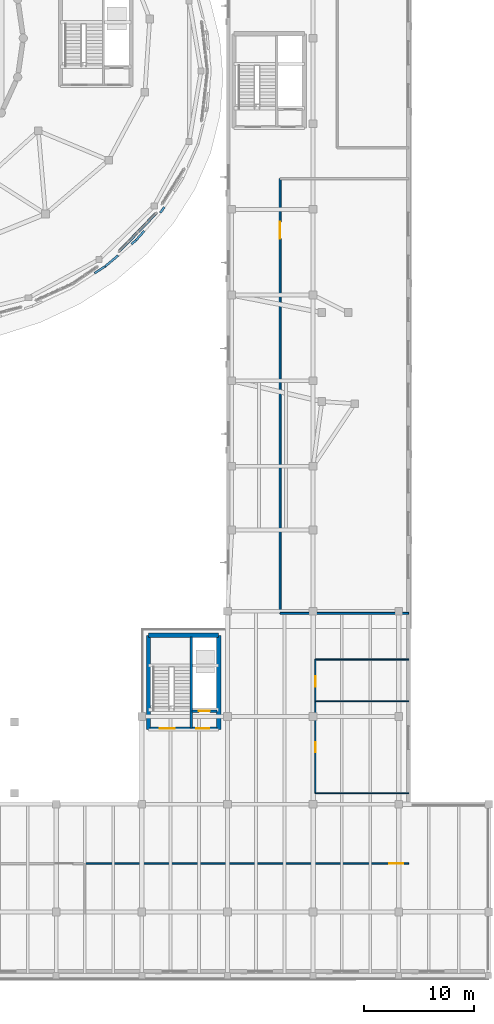
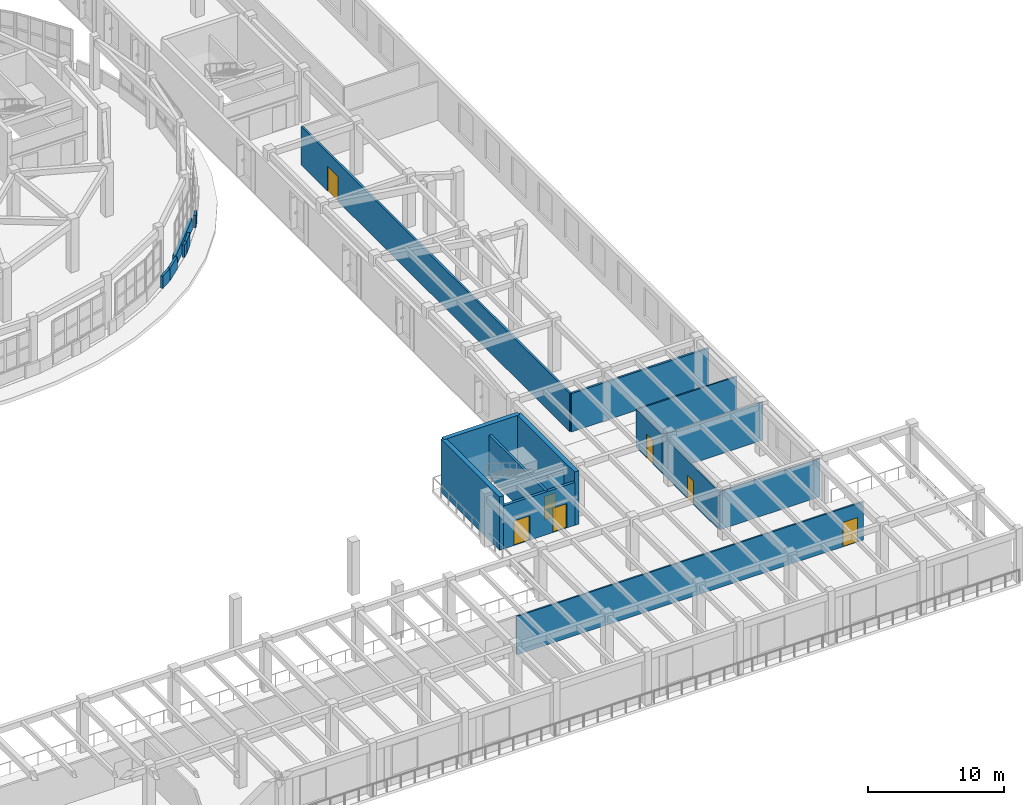
# One storey, part 80 of 98: 20 walls, 7 doors, 7 openings.
"""IFC4 building model written with IfcOpenShell, lengths in metres."""

from ifc_helpers import new_model, si_unit, direction, frame, frame_2d, origin, place, context, subcontext, project, spatial, rectangle, extrude, material, layer, layer_set, type_object, element, fill, save


model = new_model("IFC4")

# Units and contexts
model_context = context("Model", 3, precision=1e-05, world=origin(), true_north=direction((0.0, 1.0)))
body_context = subcontext(model_context, "Body", "Model", "MODEL_VIEW")
ifc_project = project(units=[si_unit("LENGTHUNIT", "METRE"), si_unit("AREAUNIT", "SQUARE_METRE"), si_unit("VOLUMEUNIT", "CUBIC_METRE"), si_unit("PLANEANGLEUNIT", "RADIAN"), si_unit("MASSUNIT", "GRAM", prefix="KILO")], contexts=[model_context])

# Site, building, storey
site_placement = place(None, origin())
site = spatial("IfcSite", under=ifc_project, at=site_placement, CompositionType="ELEMENT")
building_placement = place(site_placement, origin())
building = spatial("IfcBuilding", under=site, at=building_placement, Name="Pelvatis Terrace Science Centre", CompositionType="ELEMENT")
storey_placement = place(building_placement, frame((0.0, 0.0, 5.39990234375)))
storey = spatial("IfcBuildingStorey", under=building, at=storey_placement, Name="L01", CompositionType="ELEMENT", Elevation=5.39990234375)

# Walls
ifc_material_1 = material(Name="White architectural precast concrete C40/50 spandrel", Category="concrete")
ifc_layer_1 = layer(ifc_material_1, 0.260009765625)
ifc_layer_set_1 = layer_set([ifc_layer_1], Name="White architectural precast concrete C40/50 spandrel")
wall_type_1 = type_object("IfcWallType", Name="WL-EXT-SPND-260", PredefinedType="SOLIDWALL", material=ifc_layer_set_1)
wall_1_placement = place(storey_placement, frame((130.510009765625, 66.35986328125, 0.0), z_axis=(0.0, 0.0, 1.0), x_axis=(0.695871427132, 0.718166385249, 0.0)))
element("IfcWall", 1, at=wall_1_placement, inside=storey, type_object=wall_type_1, Name="V1 white spiral spandrel band 29 (L01)", PredefinedType="SOLIDWALL", context=body_context, shape_type="SweptSolid", body=[
    extrude(rectangle(XDim=4.90576171875, YDim=0.260009765625, at=frame_2d((2.452880859375, 0.0))), origin(), (0.0, 0.0, 1.0), 1.02001953125),
])
ifc_material_2 = material(Name="Concrete C35/45 shaft dividing wall", Category="concrete")
ifc_layer_2 = layer(ifc_material_2, 0.2099609375)
ifc_layer_set_2 = layer_set([ifc_layer_2], Name="Concrete C35/45 shaft dividing wall")
wall_type_2 = type_object("IfcWallType", Name="WL-INT-CORE-210", PredefinedType="PARTITIONING", material=ifc_layer_set_2)
wall_2_placement = place(storey_placement, frame((137.10009765625, 22.949951171875, 0.0), z_axis=(0.0, 0.0, 1.0), x_axis=(0.0, 1.0, 0.0)))
element("IfcWall", 2, at=wall_2_placement, inside=storey, type_object=wall_type_2, Name="Core C4 stair-lift shaft fire wall (L01)", PredefinedType="PARTITIONING", context=body_context, shape_type="SweptSolid", body=[
    extrude(rectangle(XDim=8.300048828125, YDim=0.2099609375, at=frame_2d((4.14990234375, 0.0))), origin(), (0.0, 0.0, 1.0), 3.860107421875),
])

# Wall, opening, door
ifc_material_3 = material(Name="Concrete C35/45 stair enclosure wall", Category="concrete")
ifc_layer_3 = layer(ifc_material_3, 0.22509765625)
ifc_layer_set_3 = layer_set([ifc_layer_3], Name="Concrete C35/45 stair enclosure wall")
wall_type_3 = type_object("IfcWallType", Name="WL-INT-CORE-225", PredefinedType="PARTITIONING", material=ifc_layer_set_3)
wall_3_placement = place(storey_placement, frame((137.14990234375, 24.5, 0.0), z_axis=(0.0, 0.0, 1.0), x_axis=(1.0, 0.0, 0.0)))
wall_3 = element("IfcWall", 3, at=wall_3_placement, inside=storey, type_object=wall_type_3, Name="Core C4 lift shaft landing wall (L01)", PredefinedType="PARTITIONING", context=body_context, shape_type="SweptSolid", body=[
    extrude(rectangle(XDim=2.300048828125, YDim=0.22509765625, at=frame_2d((1.14990234375, 0.0))), origin(), (0.0, 0.0, 1.0), 3.860107421875),
])
opening_1_placement = place(wall_3_placement, frame((0.64990234375, 0.0, 0.0)))
opening_1 = element("IfcOpeningElement", 4, at=opening_1_placement, cuts=wall_3, Name="Opening LD-C4-3", PredefinedType="OPENING", context=body_context, shape_type="SweptSolid", body=[
    extrude(rectangle(XDim=1.0, YDim=2.14990234375, at=frame_2d((0.5, 1.074951171875))), frame((0.0, 0.12255859375, 0.0), z_axis=(0.0, -1.0, 0.0), x_axis=(1.0, 0.0, 0.0)), (0.0, 0.0, 1.0), 0.2451171875),
])
ifc_material_4 = material(Name="Bronze-clad sliding passenger lift landing door", Category="steel")
door_type_1 = type_object("IfcDoorType", Name="DR-LIFT-1000x2150", OperationType="NOTDEFINED", PredefinedType="DOOR", material=ifc_material_4)
door_1_placement = place(opening_1_placement, origin())
door_1 = element("IfcDoor", 5, at=door_1_placement, inside=storey, type_object=door_type_1, Name="Lift LF-06 sliding landing door (L01)", OperationType="SLIDING_TO_LEFT", OverallHeight=2.14990234375, OverallWidth=1.0, PredefinedType="DOOR", context=body_context, shape_type="SweptSolid", body=[
    extrude(rectangle(XDim=1.0, YDim=2.14990234375, at=frame_2d((0.5, 1.074951171875))), frame((0.0, 0.02490234375, 0.0), z_axis=(0.0, -1.0, 0.0), x_axis=(1.0, 0.0, 0.0)), (0.0, 0.0, 1.0), 0.050048828125),
])
fill(opening_1, door_1)

# Wall, openings, doors
ifc_material_5 = material(Name="Concrete C35/45 shaft enclosure wall", Category="concrete")
ifc_layer_4 = layer(ifc_material_5, 0.239990234375)
ifc_layer_set_4 = layer_set([ifc_layer_4], Name="Concrete C35/45 shaft enclosure wall")
wall_type_4 = type_object("IfcWallType", Name="WL-INT-CORE-240", PredefinedType="PARTITIONING", material=ifc_layer_set_4)
wall_4_placement = place(storey_placement, frame((133.35009765625, 22.919921875, 0.0), z_axis=(0.0, 0.0, 1.0), x_axis=(1.0, 0.0, 0.0)))
wall_4 = element("IfcWall", 6, at=wall_4_placement, inside=storey, type_object=wall_type_4, Name="Core C4 fire-rated lobby wall (L01)", PredefinedType="PARTITIONING", context=body_context, shape_type="SweptSolid", body=[
    extrude(rectangle(XDim=6.099853515625, YDim=0.239990234375, at=frame_2d((3.0498046875, 0.0))), origin(), (0.0, 0.0, 1.0), 3.860107421875),
])
opening_2_placement = place(wall_4_placement, frame((0.89990234375, 0.0, 0.0)))
opening_2 = element("IfcOpeningElement", 7, at=opening_2_placement, cuts=wall_4, Name="Opening D-145", PredefinedType="OPENING", context=body_context, shape_type="SweptSolid", body=[
    extrude(rectangle(XDim=1.35009765625, YDim=2.199951171875, at=frame_2d((0.675048828125, 1.10009765625))), frame((0.0, 0.1298828125, 0.0), z_axis=(0.0, -1.0, 0.0), x_axis=(1.0, 0.0, 0.0)), (0.0, 0.0, 1.0), 0.260009765625),
])
opening_3_placement = place(wall_4_placement, frame((4.199951171875, 0.0, 0.0)))
opening_3 = element("IfcOpeningElement", 8, at=opening_3_placement, cuts=wall_4, Name="Opening D-146", PredefinedType="OPENING", context=body_context, shape_type="SweptSolid", body=[
    extrude(rectangle(XDim=1.199951171875, YDim=2.199951171875, at=frame_2d((0.60009765625, 1.10009765625))), frame((0.0, 0.1298828125, 0.0), z_axis=(0.0, -1.0, 0.0), x_axis=(1.0, 0.0, 0.0)), (0.0, 0.0, 1.0), 0.260009765625),
])
ifc_material_6 = material(Name="Steel fire-rated exit stair door", Category="steel")
door_type_2 = type_object("IfcDoorType", Name="DR-STAIR-1200x2200", OperationType="NOTDEFINED", PredefinedType="DOOR", material=ifc_material_6)
door_2_placement = place(opening_3_placement, origin())
door_2 = element("IfcDoor", 9, at=door_2_placement, inside=storey, type_object=door_type_2, Name="Core C4 lift lobby fire door (L01)", OperationType="SINGLE_SWING_RIGHT", OverallHeight=2.199951171875, OverallWidth=1.199951171875, PredefinedType="DOOR", context=body_context, shape_type="SweptSolid", body=[
    extrude(rectangle(XDim=1.199951171875, YDim=2.199951171875, at=frame_2d((0.60009765625, 1.10009765625))), frame((0.0, 0.02490234375, 0.0), z_axis=(0.0, -1.0, 0.0), x_axis=(1.0, 0.0, 0.0)), (0.0, 0.0, 1.0), 0.050048828125),
])
fill(opening_3, door_2)
ifc_material_7 = material(Name="Steel fire-rated protected stair door", Category="steel")
door_type_3 = type_object("IfcDoorType", Name="DR-STAIR-1350x2200", OperationType="NOTDEFINED", PredefinedType="DOOR", material=ifc_material_7)
door_3_placement = place(opening_2_placement, origin())
door_3 = element("IfcDoor", 10, at=door_3_placement, inside=storey, type_object=door_type_3, Name="Core C4 protected stair fire door (L01)", OperationType="SINGLE_SWING_LEFT", OverallHeight=2.199951171875, OverallWidth=1.35009765625, PredefinedType="DOOR", context=body_context, shape_type="SweptSolid", body=[
    extrude(rectangle(XDim=1.35009765625, YDim=2.199951171875, at=frame_2d((0.675048828125, 1.10009765625))), frame((0.0, 0.02490234375, 0.0), z_axis=(0.0, -1.0, 0.0), x_axis=(1.0, 0.0, 0.0)), (0.0, 0.0, 1.0), 0.050048828125),
])
fill(opening_2, door_3)

# Walls
ifc_material_8 = material(Name="Glazed laboratory screen", Category="glass")
ifc_layer_5 = layer(ifc_material_8, 0.097900390625)
ifc_layer_set_5 = layer_set([ifc_layer_5], Name="Glazed laboratory screen")
wall_type_5 = type_object("IfcWallType", Name="WL-INT-GAL-098", PredefinedType="PARTITIONING", material=ifc_layer_set_5)
for number, where, z_axis, x_axis, name in (
    (11, (148.39990234375, 17.0, 0.0), (0.0, 0.0, 1.0), (1.0, 0.0, 0.0), "Level L01 Public Restrooms partition wall S"),
    (12, (156.89990234375, 25.39990234375, 0.0), (0.0, 0.0, 1.0), (-1.0, 0.0, 0.0), "Level L01 Public Restrooms partition wall N"),
):
    element("IfcWall", number, at=place(storey_placement, frame(where, z_axis=z_axis, x_axis=x_axis)), inside=storey, type_object=wall_type_5, Name=name, PredefinedType="PARTITIONING", context=body_context, shape_type="SweptSolid", body=[
        extrude(rectangle(XDim=8.5, YDim=0.097900390625, at=frame_2d((4.25, 0.0))), origin(), (0.0, 0.0, 1.0), 3.4501953125),
    ])
ifc_material_9 = material(Name="Moisture-resistant laboratory partition", Category="masonry")
ifc_layer_6 = layer(ifc_material_9, 0.175048828125)
ifc_layer_set_6 = layer_set([ifc_layer_6], Name="Moisture-resistant laboratory partition")
wall_type_6 = type_object("IfcWallType", Name="WL-INT-LAB-175", PredefinedType="PARTITIONING", material=ifc_layer_set_6)
wall_5_placement = place(storey_placement, frame((145.199951171875, 33.39990234375, 0.0), z_axis=(0.0, 0.0, 1.0), x_axis=(1.0, 0.0, 0.0)))
element("IfcWall", 13, at=wall_5_placement, inside=storey, type_object=wall_type_6, Name="Environmental Water and Soil Science Laboratory 3 partition wall S", PredefinedType="PARTITIONING", context=body_context, shape_type="SweptSolid", body=[
    extrude(rectangle(XDim=11.699951171875, YDim=0.175048828125, at=frame_2d((5.85009765625, 0.0))), origin(), (0.0, 0.0, 1.0), 3.4501953125),
])

# Wall, opening, door
wall_6_placement = place(storey_placement, frame((145.199951171875, 73.0, 0.0), z_axis=(0.0, 0.0, 1.0), x_axis=(0.0, -1.0, 0.0)))
wall_6 = element("IfcWall", 14, at=wall_6_placement, inside=storey, type_object=wall_type_6, Name="Environmental Water and Soil Science Laboratory 3 partition wall W", PredefinedType="PARTITIONING", context=body_context, shape_type="SweptSolid", body=[
    extrude(rectangle(XDim=39.60009765625, YDim=0.175048828125, at=frame_2d((19.800048828125, 0.0))), origin(), (0.0, 0.0, 1.0), 3.4501953125),
])
opening_4_placement = place(wall_6_placement, frame((3.905029296875, 0.0, 0.0)))
opening_4 = element("IfcOpeningElement", 15, at=opening_4_placement, cuts=wall_6, Name="Opening D-196", PredefinedType="OPENING", context=body_context, shape_type="SweptSolid", body=[
    extrude(rectangle(XDim=1.550048828125, YDim=2.25, at=frame_2d((0.77490234375, 1.125))), frame((0.0, 0.097412109375, 0.0), z_axis=(0.0, -1.0, 0.0), x_axis=(1.0, 0.0, 0.0)), (0.0, 0.0, 1.0), 0.195068359375),
])
ifc_material_10 = material(Name="Leaf-and-a-half laboratory equipment fire door", Category="wood")
door_type_4 = type_object("IfcDoorType", Name="DR-LAB-1550x2250", OperationType="NOTDEFINED", PredefinedType="DOOR", material=ifc_material_10)
door_4_placement = place(opening_4_placement, origin())
door_4 = element("IfcDoor", 16, at=door_4_placement, inside=storey, type_object=door_type_4, Name="Environmental Water and Soil Science Laboratory 3 entrance door", OperationType="DOUBLE_DOOR_SINGLE_SWING", OverallHeight=2.25, OverallWidth=1.550048828125, PredefinedType="DOOR", context=body_context, shape_type="SweptSolid", body=[
    extrude(rectangle(XDim=1.550048828125, YDim=2.25, at=frame_2d((0.77490234375, 1.125))), frame((0.0, 0.02490234375, 0.0), z_axis=(0.0, -1.0, 0.0), x_axis=(1.0, 0.0, 0.0)), (0.0, 0.0, 1.0), 0.050048828125),
])
fill(opening_4, door_4)

# Wall
ifc_material_11 = material(Name="Standard gypsum board partition", Category="masonry")
ifc_layer_7 = layer(ifc_material_11, 0.125)
ifc_layer_set_7 = layer_set([ifc_layer_7], Name="Standard gypsum board partition")
wall_type_7 = type_object("IfcWallType", Name="WL-INT-STD-125", PredefinedType="PARTITIONING", material=ifc_layer_set_7)
wall_7_placement = place(storey_placement, frame((156.89990234375, 29.199951171875, 0.0), z_axis=(0.0, 0.0, 1.0), x_axis=(-1.0, 0.0, 0.0)))
element("IfcWall", 17, at=wall_7_placement, inside=storey, type_object=wall_type_7, Name="Level L01 Accessible WC partition wall N", PredefinedType="PARTITIONING", context=body_context, shape_type="SweptSolid", body=[
    extrude(rectangle(XDim=8.5, YDim=0.125, at=frame_2d((4.25, 0.0))), origin(), (0.0, 0.0, 1.0), 3.4501953125),
])

# Wall, opening, door
ifc_material_12 = material(Name="Twin-frame gypsum fire-rated seminar partition", Category="masonry")
ifc_layer_8 = layer(ifc_material_12, 0.135009765625)
ifc_layer_set_8 = layer_set([ifc_layer_8], Name="Twin-frame gypsum fire-rated seminar partition")
wall_type_8 = type_object("IfcWallType", Name="WL-INT-STD-135", PredefinedType="PARTITIONING", material=ifc_layer_set_8)
wall_8_placement = place(storey_placement, frame((156.89990234375, 10.60009765625, 0.0), z_axis=(0.0, 0.0, 1.0), x_axis=(-1.0, 0.0, 0.0)))
wall_8 = element("IfcWall", 18, at=wall_8_placement, inside=storey, type_object=wall_type_8, Name="Community Science Seminar and Teacher Suite partition wall N", PredefinedType="PARTITIONING", context=body_context, shape_type="SweptSolid", body=[
    extrude(rectangle(XDim=29.5, YDim=0.135009765625, at=frame_2d((14.75, 0.0))), origin(), (0.0, 0.0, 1.0), 3.4501953125),
])
opening_5_placement = place(wall_8_placement, frame((0.5, 0.0, 0.0)))
opening_5 = element("IfcOpeningElement", 19, at=opening_5_placement, cuts=wall_8, Name="Opening D-198", PredefinedType="OPENING", context=body_context, shape_type="SweptSolid", body=[
    extrude(rectangle(XDim=1.25, YDim=2.199951171875, at=frame_2d((0.625, 1.10009765625))), frame((0.0, 0.077392578125, 0.0), z_axis=(0.0, -1.0, 0.0), x_axis=(1.0, 0.0, 0.0)), (0.0, 0.0, 1.0), 0.155029296875),
])
ifc_material_13 = material(Name="Acoustic timber seminar fire door", Category="wood")
door_type_5 = type_object("IfcDoorType", Name="DR-SEM-1250x2200", OperationType="NOTDEFINED", PredefinedType="DOOR", material=ifc_material_13)
door_5_placement = place(opening_5_placement, origin())
door_5 = element("IfcDoor", 20, at=door_5_placement, inside=storey, type_object=door_type_5, Name="Community Science Seminar and Teacher Suite entrance door", OperationType="SINGLE_SWING_LEFT", OverallHeight=2.199951171875, OverallWidth=1.25, PredefinedType="DOOR", context=body_context, shape_type="SweptSolid", body=[
    extrude(rectangle(XDim=1.25, YDim=2.199951171875, at=frame_2d((0.625, 1.10009765625))), frame((0.0, 0.02490234375, 0.0), z_axis=(0.0, -1.0, 0.0), x_axis=(1.0, 0.0, 0.0)), (0.0, 0.0, 1.0), 0.050048828125),
])
fill(opening_5, door_5)

ifc_material_14 = material(Name="Accessible WC cubicle partition", Category="masonry")
ifc_layer_9 = layer(ifc_material_14, 0.114990234375)
ifc_layer_set_9 = layer_set([ifc_layer_9], Name="Accessible WC cubicle partition")
wall_type_9 = type_object("IfcWallType", Name="WL-INT-WET-115", PredefinedType="PARTITIONING", material=ifc_layer_set_9)
wall_9_placement = place(storey_placement, frame((148.39990234375, 29.199951171875, 0.0), z_axis=(0.0, 0.0, 1.0), x_axis=(0.0, -1.0, 0.0)))
wall_9 = element("IfcWall", 21, at=wall_9_placement, inside=storey, type_object=wall_type_9, Name="Level L01 Accessible WC partition wall W", PredefinedType="PARTITIONING", context=body_context, shape_type="SweptSolid", body=[
    extrude(rectangle(XDim=3.800048828125, YDim=0.114990234375, at=frame_2d((1.89990234375, 0.0))), origin(), (0.0, 0.0, 1.0), 3.4501953125),
])
opening_6_placement = place(wall_9_placement, frame((1.528076171875, 0.0, 0.0)))
opening_6 = element("IfcOpeningElement", 22, at=opening_6_placement, cuts=wall_9, Name="Opening D-200", PredefinedType="OPENING", context=body_context, shape_type="SweptSolid", body=[
    extrude(rectangle(XDim=0.949951171875, YDim=2.10009765625, at=frame_2d((0.47509765625, 1.050048828125))), frame((0.0, 0.0673828125, 0.0), z_axis=(0.0, -1.0, 0.0), x_axis=(1.0, 0.0, 0.0)), (0.0, 0.0, 1.0), 0.135009765625),
])
ifc_material_15 = material(Name="Moisture-resistant accessible restroom door", Category="wood")
door_type_6 = type_object("IfcDoorType", Name="DR-WC-0950x2100", OperationType="NOTDEFINED", PredefinedType="DOOR", material=ifc_material_15)
door_6_placement = place(opening_6_placement, origin())
door_6 = element("IfcDoor", 23, at=door_6_placement, inside=storey, type_object=door_type_6, Name="Level L01 Accessible WC entrance door", OperationType="SINGLE_SWING_LEFT", OverallHeight=2.10009765625, OverallWidth=0.949951171875, PredefinedType="DOOR", context=body_context, shape_type="SweptSolid", body=[
    extrude(rectangle(XDim=0.949951171875, YDim=2.10009765625, at=frame_2d((0.47509765625, 1.050048828125))), frame((0.0, 0.02490234375, 0.0), z_axis=(0.0, -1.0, 0.0), x_axis=(1.0, 0.0, 0.0)), (0.0, 0.0, 1.0), 0.050048828125),
])
fill(opening_6, door_6)

ifc_material_16 = material(Name="Ceramic-tiled wet restroom partition", Category="masonry")
ifc_layer_10 = layer(ifc_material_16, 0.1298828125)
ifc_layer_set_10 = layer_set([ifc_layer_10], Name="Ceramic-tiled wet restroom partition")
wall_type_10 = type_object("IfcWallType", Name="WL-INT-WET-130", PredefinedType="PARTITIONING", material=ifc_layer_set_10)
wall_10_placement = place(storey_placement, frame((148.39990234375, 25.39990234375, 0.0), z_axis=(0.0, 0.0, 1.0), x_axis=(0.0, -1.0, 0.0)))
wall_10 = element("IfcWall", 24, at=wall_10_placement, inside=storey, type_object=wall_type_10, Name="Level L01 Public Restrooms partition wall W", PredefinedType="PARTITIONING", context=body_context, shape_type="SweptSolid", body=[
    extrude(rectangle(XDim=8.39990234375, YDim=0.1298828125, at=frame_2d((4.199951171875, 0.0))), origin(), (0.0, 0.0, 1.0), 3.4501953125),
])
opening_7_placement = place(wall_10_placement, frame((3.739990234375, 0.0, 0.0)))
opening_7 = element("IfcOpeningElement", 25, at=opening_7_placement, cuts=wall_10, Name="Opening D-199", PredefinedType="OPENING", context=body_context, shape_type="SweptSolid", body=[
    extrude(rectangle(XDim=0.919921875, YDim=2.10009765625, at=frame_2d((0.4599609375, 1.050048828125))), frame((0.0, 0.074951171875, 0.0), z_axis=(0.0, -1.0, 0.0), x_axis=(1.0, 0.0, 0.0)), (0.0, 0.0, 1.0), 0.14990234375),
])
ifc_material_17 = material(Name="Moisture-resistant public restroom door", Category="wood")
door_type_7 = type_object("IfcDoorType", Name="DR-WC-0920x2100", OperationType="NOTDEFINED", PredefinedType="DOOR", material=ifc_material_17)
door_7_placement = place(opening_7_placement, origin())
door_7 = element("IfcDoor", 26, at=door_7_placement, inside=storey, type_object=door_type_7, Name="Level L01 Public Restrooms entrance door", OperationType="SINGLE_SWING_RIGHT", OverallHeight=2.10009765625, OverallWidth=0.919921875, PredefinedType="DOOR", context=body_context, shape_type="SweptSolid", body=[
    extrude(rectangle(XDim=0.919921875, YDim=2.10009765625, at=frame_2d((0.4599609375, 1.050048828125))), frame((0.0, 0.02490234375, 0.0), z_axis=(0.0, -1.0, 0.0), x_axis=(1.0, 0.0, 0.0)), (0.0, 0.0, 1.0), 0.050048828125),
])
fill(opening_7, door_7)

# Walls
ifc_material_18 = material(Name="White architectural precast concrete C40/50 spandrel parapet", Category="concrete")
ifc_layer_11 = layer(ifc_material_18, 0.18994140625)
ifc_layer_set_11 = layer_set([ifc_layer_11], Name="White architectural precast concrete C40/50 spandrel parapet")
wall_type_11 = type_object("IfcWallType", Name="WL-PAR-190", PredefinedType="PARAPET", material=ifc_layer_set_11)
wall_11_placement = place(storey_placement, frame((134.65673828125, 70.416015625, 0.0), z_axis=(0.0, 0.0, 1.0), x_axis=(-0.588595424276, -0.808427749723, 0.0)))
element("IfcWall", 27, at=wall_11_placement, inside=storey, type_object=wall_type_11, Name="Perimeter edge closure parapet PW-EDG-L01-151", PredefinedType="PARAPET", context=body_context, shape_type="SweptSolid", body=[
    extrude(rectangle(XDim=0.65087890625, YDim=0.18994140625, at=frame_2d((0.325439453125, 0.0))), origin(), (0.0, 0.0, 1.0), 1.1201171875),
])
wall_12_placement = place(storey_placement, frame((132.814208984375, 68.23486328125, 0.0), z_axis=(0.0, 0.0, 1.0), x_axis=(-0.661378394629, -0.750052410914, 0.0)))
element("IfcWall", 28, at=wall_12_placement, inside=storey, type_object=wall_type_11, Name="Perimeter edge closure parapet PW-EDG-L01-152", PredefinedType="PARAPET", context=body_context, shape_type="SweptSolid", body=[
    extrude(rectangle(XDim=1.12890625, YDim=0.18994140625, at=frame_2d((0.564453125, 0.0))), origin(), (0.0, 0.0, 1.0), 1.1201171875),
])
wall_13_placement = place(storey_placement, frame((132.067626953125, 67.38818359375, 0.0), z_axis=(0.0, 0.0, 1.0), x_axis=(-0.762314926118, -0.647206268061, 0.0)))
element("IfcWall", 29, at=wall_13_placement, inside=storey, type_object=wall_type_11, Name="Perimeter edge closure parapet PW-EDG-L01-153", PredefinedType="PARAPET", context=body_context, shape_type="SweptSolid", body=[
    extrude(rectangle(XDim=0.545166015625, YDim=0.18994140625, at=frame_2d((0.2724609375, 0.0))), origin(), (0.0, 0.0, 1.0), 1.1201171875),
])
wall_14_placement = place(storey_placement, frame((130.4501953125, 66.01513671875, 0.0), z_axis=(0.0, 0.0, 1.0), x_axis=(-0.762363033606, -0.647149600163, 0.0)))
element("IfcWall", 30, at=wall_14_placement, inside=storey, type_object=wall_type_11, Name="Perimeter edge closure parapet PW-EDG-L01-154", PredefinedType="PARAPET", context=body_context, shape_type="SweptSolid", body=[
    extrude(rectangle(XDim=1.549072265625, YDim=0.18994140625, at=frame_2d((0.7744140625, 0.0))), origin(), (0.0, 0.0, 1.0), 1.1201171875),
])
wall_15_placement = place(storey_placement, frame((129.269287109375, 65.0126953125, 0.0), z_axis=(0.0, 0.0, 1.0), x_axis=(-0.84395586185, -0.536412624057, 0.0)))
element("IfcWall", 31, at=wall_15_placement, inside=storey, type_object=wall_type_11, Name="Perimeter edge closure parapet PW-EDG-L01-155", PredefinedType="PARAPET", context=body_context, shape_type="SweptSolid", body=[
    extrude(rectangle(XDim=1.16064453125, YDim=0.18994140625, at=frame_2d((0.580322265625, 0.0))), origin(), (0.0, 0.0, 1.0), 1.1201171875),
])
ifc_material_19 = material(Name="Concrete C40/50", Category="concrete")
ifc_layer_12 = layer(ifc_material_19, 0.3798828125)
ifc_layer_set_12 = layer_set([ifc_layer_12], Name="Concrete C40/50")
wall_type_12 = type_object("IfcWallType", Name="WL-SHR-380", PredefinedType="SHEAR", material=ifc_layer_set_12)
wall_16_placement = place(storey_placement, frame((133.199951171875, 31.39990234375, 0.0), z_axis=(0.0, 0.0, 1.0), x_axis=(1.0, 0.0, 0.0)))
element("IfcWall", 32, at=wall_16_placement, inside=storey, type_object=wall_type_12, Name="Core C4 shear wall N (L01)", PredefinedType="SHEAR", context=body_context, shape_type="SweptSolid", body=[
    extrude(rectangle(XDim=6.400146484375, YDim=0.3798828125, at=frame_2d((3.2001953125, 0.0))), origin(), (0.0, 0.0, 1.0), 4.800048828125),
])
for number, where, z_axis, x_axis, name in (
    (33, (133.199951171875, 22.800048828125, 0.0), (0.0, 0.0, 1.0), (0.0, 1.0, 0.0), "Core C4 shear wall W (L01)"),
    (34, (139.60009765625, 22.800048828125, 0.0), (0.0, 0.0, 1.0), (0.0, 1.0, 0.0), "Core C4 shear wall E (L01)"),
):
    element("IfcWall", number, at=place(storey_placement, frame(where, z_axis=z_axis, x_axis=x_axis)), inside=storey, type_object=wall_type_12, Name=name, PredefinedType="SHEAR", context=body_context, shape_type="SweptSolid", body=[
        extrude(rectangle(XDim=8.599853515625, YDim=0.3798828125, at=frame_2d((4.2998046875, 0.0))), origin(), (0.0, 0.0, 1.0), 4.800048828125),
    ])

save(model, "model.ifc")
